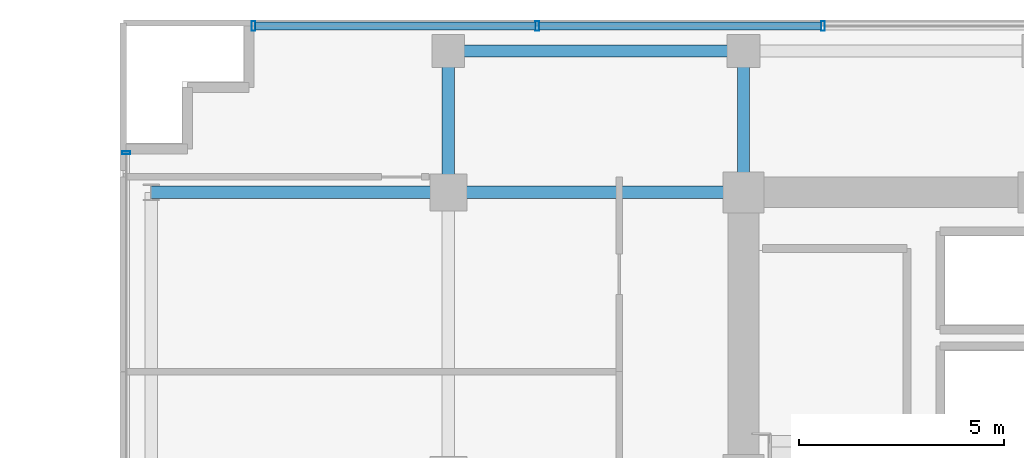
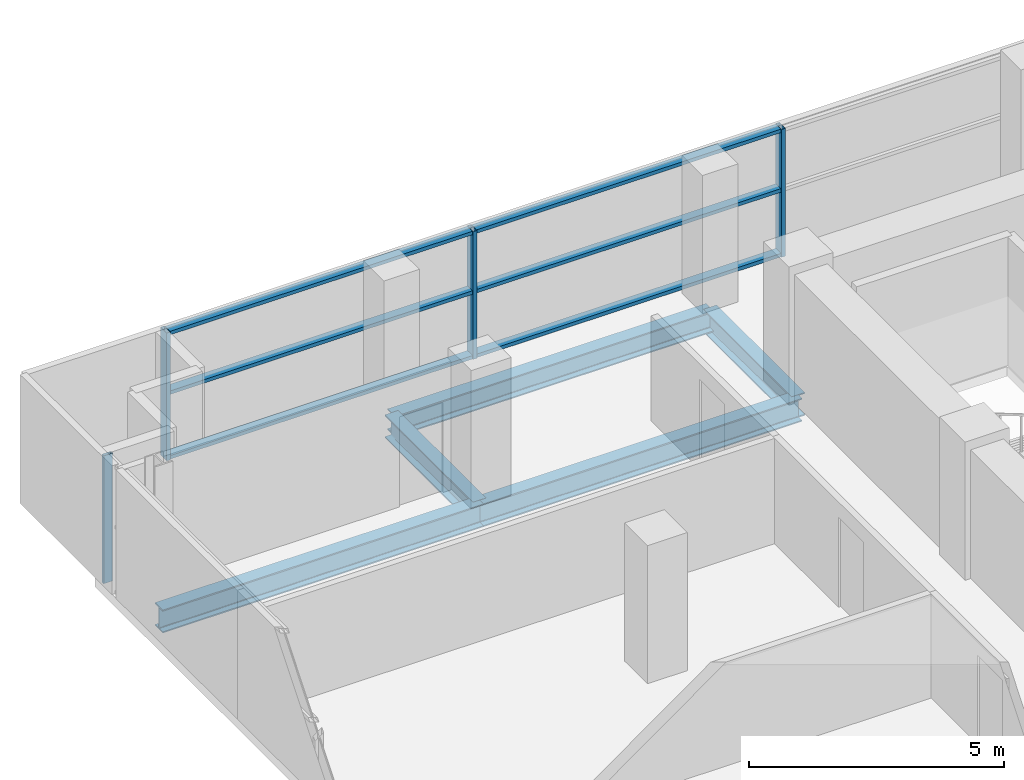
# One storey, part 15 of 28: 10 members, 5 beams, 2 elements without a shape of their own.
"""IFC4 building model written with IfcOpenShell, lengths in metres."""

from ifc_helpers import new_model, si_unit, direction, frame, origin, origin_2d, place, context, subcontext, project, spatial, hollow_rectangle, i_section, extrude, source, transform, mapped, material, layer, layer_set, material_profile, profile_set, type_object, element, aggregate, save


model = new_model("IFC4")

# Units and contexts
model_context = context("Model", 3, precision=1e-05, world=origin(), true_north=direction((0.0, 1.0)))
body_context = subcontext(model_context, "Body", "Model", "MODEL_VIEW")
ifc_project = project(units=[si_unit("LENGTHUNIT", "METRE"), si_unit("AREAUNIT", "SQUARE_METRE"), si_unit("VOLUMEUNIT", "CUBIC_METRE"), si_unit("PLANEANGLEUNIT", "RADIAN"), si_unit("MASSUNIT", "GRAM", prefix="KILO")], contexts=[model_context])

# Site, building, storey
site_placement = place(None, origin())
site = spatial("IfcSite", under=ifc_project, at=site_placement, CompositionType="ELEMENT")
building_placement = place(site_placement, origin())
building = spatial("IfcBuilding", under=site, at=building_placement, Name="Zarnakvel Exchange Tower", CompositionType="ELEMENT")
storey_placement = place(building_placement, frame((0.0, 0.0, 103.300048828125)))
storey = spatial("IfcBuildingStorey", under=building, at=storey_placement, Name="L28", CompositionType="ELEMENT", Elevation=103.300048828125)

# Beams
ifc_material_1 = material(Name="Steel S355", Category="steel")
ifc_material_profile_1 = material_profile(ifc_material_1, i_section(OverallWidth=0.300048828125, OverallDepth=0.550048828125, WebThickness=0.014892578125, FlangeThickness=0.029052734375, FilletRadius=0.027099609375, at=origin_2d()))
ifc_profile_set_1 = profile_set([ifc_material_profile_1], Name="Steel S355")
beam_type_1 = type_object("IfcBeamType", Name="G-05", PredefinedType="BEAM", material=ifc_profile_set_1)
beam_1_placement = place(storey_placement, frame((-28.85009765625, 13.5, -0.5), z_axis=(1.0, 0.0, 0.0), x_axis=(0.0, 1.0, 0.0)))
element("IfcBeam", 1, at=beam_1_placement, inside=storey, type_object=beam_type_1, Name="L28 Tower E-W Frame Beam", PredefinedType="BEAM", context=body_context, shape_type="SweptSolid", body=[
    extrude(i_section(OverallWidth=0.300048828125, OverallDepth=0.550048828125, WebThickness=0.014892578125, FlangeThickness=0.029052734375, FilletRadius=0.027099609375, at=origin_2d()), origin(), (0.0, 0.0, 1.0), 7.25),
])
beam_2_placement = place(storey_placement, frame((-21.60009765625, 13.5, -0.5), z_axis=(1.0, 0.0, 0.0), x_axis=(0.0, 1.0, 0.0)))
element("IfcBeam", 2, at=beam_2_placement, inside=storey, type_object=beam_type_1, Name="L28 Tower E-W Frame Beam", PredefinedType="BEAM", context=body_context, shape_type="SweptSolid", body=[
    extrude(i_section(OverallWidth=0.300048828125, OverallDepth=0.550048828125, WebThickness=0.014892578125, FlangeThickness=0.029052734375, FilletRadius=0.027099609375, at=origin_2d()), origin(), (0.0, 0.0, 1.0), 7.2001953125),
])
for number, where, z_axis, x_axis, name in (
    (3, (-21.60009765625, 13.5, -0.5), (0.0, 1.0, 0.0), (-1.0, 0.0, 0.0), "L28 Tower N-S Frame Beam"),
    (4, (-14.39990234375, 13.5, -0.5), (0.0, 1.0, 0.0), (-1.0, 0.0, 0.0), "L28 Tower N-S Frame Beam"),
):
    element("IfcBeam", number, at=place(storey_placement, frame(where, z_axis=z_axis, x_axis=x_axis)), inside=storey, type_object=beam_type_1, Name=name, PredefinedType="BEAM", context=body_context, shape_type="SweptSolid", body=[
        extrude(i_section(OverallWidth=0.300048828125, OverallDepth=0.550048828125, WebThickness=0.014892578125, FlangeThickness=0.029052734375, FilletRadius=0.027099609375, at=origin_2d()), origin(), (0.0, 0.0, 1.0), 3.449951171875),
    ])
ifc_material_profile_2 = material_profile(ifc_material_1, i_section(OverallWidth=0.300048828125, OverallDepth=0.5, WebThickness=0.014404296875, FlangeThickness=0.028076171875, FilletRadius=0.027099609375, at=origin_2d()))
ifc_profile_set_2 = profile_set([ifc_material_profile_2], Name="Steel S355")
beam_type_2 = type_object("IfcBeamType", Name="SP-02", PredefinedType="SPANDREL", material=ifc_profile_set_2)
beam_3_placement = place(storey_placement, frame((-21.60009765625, 16.949951171875, -0.47509765625), z_axis=(1.0, 0.0, 0.0), x_axis=(0.0, 1.0, 0.0)))
element("IfcBeam", 5, at=beam_3_placement, inside=storey, type_object=beam_type_2, Name="L28 Tower E-W Frame Beam", PredefinedType="SPANDREL", context=body_context, shape_type="SweptSolid", body=[
    extrude(i_section(OverallWidth=0.300048828125, OverallDepth=0.5, WebThickness=0.014404296875, FlangeThickness=0.028076171875, FilletRadius=0.027099609375, at=origin_2d()), origin(), (0.0, 0.0, 1.0), 7.2001953125),
])

# Curtain wall, members
ifc_material_2 = material(Name="Architectural Bronze Anodised Aluminium", Category="aluminium")
ifc_layer_1 = layer(ifc_material_2, 0.239990234375)
ifc_layer_set_1 = layer_set([ifc_layer_1], Name="Architectural Bronze Anodised Aluminium")
curtain_wall_type_1 = type_object("IfcCurtainWallType", Name="CW-02", PredefinedType="NOTDEFINED", material=ifc_layer_set_1)
curtain_wall_1_placement = place(storey_placement, origin())
curtain_wall_1 = element("IfcCurtainWall", 6, at=curtain_wall_1_placement, inside=storey, type_object=curtain_wall_type_1, Name="L28 Curtain Wall CW-L28-N1 (CW-02)", PredefinedType="NOTDEFINED")
ifc_material_profile_3 = material_profile(ifc_material_2, hollow_rectangle(XDim=0.239990234375, YDim=0.090087890625, WallThickness=0.006103515625, at=origin_2d()))
ifc_profile_set_3 = profile_set([ifc_material_profile_3], Name="Architectural Bronze Anodised Aluminium")
member_type_1 = type_object("IfcMemberType", Name="CWM-02", PredefinedType="MULLION", material=ifc_profile_set_3)
shared_shape_1 = source(origin(), body_context, "Body", "SweptSolid", [
    extrude(hollow_rectangle(XDim=0.239990234375, YDim=0.090087890625, WallThickness=0.006103515625, at=origin_2d()), origin(), (0.0, 0.0, 1.0), 3.054931640625),
])
member_1_placement = place(storey_placement, frame((-26.35498046875, 17.56005859375, 0.0), z_axis=(0.0, 0.0, 1.0), x_axis=(0.0, 1.0, 0.0)))
member_1 = element("IfcMember", 7, at=member_1_placement, type_object=member_type_1, Name="CW-02 mullion 1", PredefinedType="MULLION", context=body_context, shape_type="MappedRepresentation", body=[
    mapped(shared_shape_1, transform((0.0, 0.0, 0.0), x_axis=(1.0, 0.0, 0.0), y_axis=(0.0, 1.0, 0.0), z_axis=(0.0, 0.0, 1.0), scale=1.0)),
])
member_2_placement = place(storey_placement, frame((-19.428466796875, 17.56005859375, 0.0), z_axis=(0.0, 0.0, 1.0), x_axis=(0.0, 1.0, 0.0)))
member_2 = element("IfcMember", 8, at=member_2_placement, type_object=member_type_1, Name="CW-02 mullion 2", PredefinedType="MULLION", context=body_context, shape_type="MappedRepresentation", body=[
    mapped(shared_shape_1, transform((0.0, 0.0, 0.0), x_axis=(1.0, 0.0, 0.0), y_axis=(0.0, 1.0, 0.0), z_axis=(0.0, 0.0, 1.0), scale=1.0)),
])
member_3_placement = place(storey_placement, frame((-12.45703125, 17.56005859375, 0.0), z_axis=(0.0, 0.0, 1.0), x_axis=(0.0, 1.0, 0.0)))
member_3 = element("IfcMember", 9, at=member_3_placement, type_object=member_type_1, Name="CW-02 mullion 3", PredefinedType="MULLION", context=body_context, shape_type="MappedRepresentation", body=[
    mapped(shared_shape_1, transform((0.0, 0.0, 0.0), x_axis=(1.0, 0.0, 0.0), y_axis=(0.0, 1.0, 0.0), z_axis=(0.0, 0.0, 1.0), scale=1.0)),
])

# Curtain wall, member
ifc_layer_2 = layer(ifc_material_2, 0.199951171875)
ifc_layer_set_2 = layer_set([ifc_layer_2], Name="Architectural Bronze Anodised Aluminium")
curtain_wall_type_2 = type_object("IfcCurtainWallType", Name="CW-04", PredefinedType="NOTDEFINED", material=ifc_layer_set_2)
curtain_wall_2_placement = place(storey_placement, origin())
curtain_wall_2 = element("IfcCurtainWall", 10, at=curtain_wall_2_placement, inside=storey, type_object=curtain_wall_type_2, Name="L28 Curtain Wall CW-L28-WN (CW-04)", PredefinedType="NOTDEFINED")
ifc_material_profile_4 = material_profile(ifc_material_2, hollow_rectangle(XDim=0.199951171875, YDim=0.074951171875, WallThickness=0.0048828125, at=origin_2d()))
ifc_profile_set_4 = profile_set([ifc_material_profile_4], Name="Architectural Bronze Anodised Aluminium")
member_type_2 = type_object("IfcMemberType", Name="CWM-04", PredefinedType="MULLION", material=ifc_profile_set_4)
shared_shape_2 = source(origin(), body_context, "Body", "SweptSolid", [
    extrude(hollow_rectangle(XDim=0.199951171875, YDim=0.074951171875, WallThickness=0.0048828125, at=origin_2d()), origin(), (0.0, 0.0, 1.0), 3.054931640625),
])
member_4_placement = place(storey_placement, frame((-29.4599609375, 14.46240234375, 0.0), z_axis=(0.0, 0.0, 1.0), x_axis=(-1.0, 0.0, 0.0)))
member_4 = element("IfcMember", 11, at=member_4_placement, type_object=member_type_2, Name="CW-04 mullion 3", PredefinedType="MULLION", context=body_context, shape_type="MappedRepresentation", body=[
    mapped(shared_shape_2, transform((0.0, 0.0, 0.0), x_axis=(1.0, 0.0, 0.0), y_axis=(0.0, 1.0, 0.0), z_axis=(0.0, 0.0, 1.0), scale=1.0)),
])
aggregate(curtain_wall_2, [member_4])

# Member
ifc_material_profile_5 = material_profile(ifc_material_2, hollow_rectangle(XDim=0.199951171875, YDim=0.0849609375, WallThickness=0.0048828125, at=origin_2d()))
ifc_profile_set_5 = profile_set([ifc_material_profile_5], Name="Architectural Bronze Anodised Aluminium")
member_type_3 = type_object("IfcMemberType", Name="CWT-02", PredefinedType="USERDEFINED", material=ifc_profile_set_5)
shared_shape_3 = source(origin(), body_context, "Body", "SweptSolid", [
    extrude(hollow_rectangle(XDim=0.199951171875, YDim=0.0849609375, WallThickness=0.0048828125, at=origin_2d()), origin(), (0.0, 0.0, 1.0), 6.83642578125),
])
member_5_placement = place(storey_placement, frame((-26.31005859375, 17.56005859375, 0.04248046875), z_axis=(1.0, 0.0, 0.0), x_axis=(0.0, 1.0, 0.0)))
member_5 = element("IfcMember", 12, at=member_5_placement, type_object=member_type_3, Name="CW-02 transom 1.1", ObjectType="TRANSOM", PredefinedType="USERDEFINED", context=body_context, shape_type="MappedRepresentation", body=[
    mapped(shared_shape_3, transform((0.0, 0.0, 0.0), x_axis=(1.0, 0.0, 0.0), y_axis=(0.0, 1.0, 0.0), z_axis=(0.0, 0.0, 1.0), scale=1.0)),
])

member_6_placement = place(storey_placement, frame((-26.31005859375, 17.56005859375, 1.588623046875), z_axis=(1.0, 0.0, 0.0), x_axis=(0.0, 1.0, 0.0)))
member_6 = element("IfcMember", 13, at=member_6_placement, type_object=member_type_3, Name="CW-02 transom 1.2", ObjectType="TRANSOM", PredefinedType="USERDEFINED", context=body_context, shape_type="MappedRepresentation", body=[
    mapped(shared_shape_3, transform((0.0, 0.0, 0.0), x_axis=(1.0, 0.0, 0.0), y_axis=(0.0, 1.0, 0.0), z_axis=(0.0, 0.0, 1.0), scale=1.0)),
])

member_7_placement = place(storey_placement, frame((-26.31005859375, 17.56005859375, 3.012451171875), z_axis=(1.0, 0.0, 0.0), x_axis=(0.0, 1.0, 0.0)))
member_7 = element("IfcMember", 14, at=member_7_placement, type_object=member_type_3, Name="CW-02 transom 1.3", ObjectType="TRANSOM", PredefinedType="USERDEFINED", context=body_context, shape_type="MappedRepresentation", body=[
    mapped(shared_shape_3, transform((0.0, 0.0, 0.0), x_axis=(1.0, 0.0, 0.0), y_axis=(0.0, 1.0, 0.0), z_axis=(0.0, 0.0, 1.0), scale=1.0)),
])

shared_shape_4 = source(origin(), body_context, "Body", "SweptSolid", [
    extrude(hollow_rectangle(XDim=0.199951171875, YDim=0.0849609375, WallThickness=0.0048828125, at=origin_2d()), origin(), (0.0, 0.0, 1.0), 6.88134765625),
])
member_8_placement = place(storey_placement, frame((-19.383544921875, 17.56005859375, 0.04248046875), z_axis=(1.0, 0.0, 0.0), x_axis=(0.0, 1.0, 0.0)))
member_8 = element("IfcMember", 15, at=member_8_placement, type_object=member_type_3, Name="CW-02 transom 2.1", ObjectType="TRANSOM", PredefinedType="USERDEFINED", context=body_context, shape_type="MappedRepresentation", body=[
    mapped(shared_shape_4, transform((0.0, 0.0, 0.0), x_axis=(1.0, 0.0, 0.0), y_axis=(0.0, 1.0, 0.0), z_axis=(0.0, 0.0, 1.0), scale=1.0)),
])

member_9_placement = place(storey_placement, frame((-19.383544921875, 17.56005859375, 1.588623046875), z_axis=(1.0, 0.0, 0.0), x_axis=(0.0, 1.0, 0.0)))
member_9 = element("IfcMember", 16, at=member_9_placement, type_object=member_type_3, Name="CW-02 transom 2.2", ObjectType="TRANSOM", PredefinedType="USERDEFINED", context=body_context, shape_type="MappedRepresentation", body=[
    mapped(shared_shape_4, transform((0.0, 0.0, 0.0), x_axis=(1.0, 0.0, 0.0), y_axis=(0.0, 1.0, 0.0), z_axis=(0.0, 0.0, 1.0), scale=1.0)),
])

member_10_placement = place(storey_placement, frame((-19.383544921875, 17.56005859375, 3.012451171875), z_axis=(1.0, 0.0, 0.0), x_axis=(0.0, 1.0, 0.0)))
member_10 = element("IfcMember", 17, at=member_10_placement, type_object=member_type_3, Name="CW-02 transom 2.3", ObjectType="TRANSOM", PredefinedType="USERDEFINED", context=body_context, shape_type="MappedRepresentation", body=[
    mapped(shared_shape_4, transform((0.0, 0.0, 0.0), x_axis=(1.0, 0.0, 0.0), y_axis=(0.0, 1.0, 0.0), z_axis=(0.0, 0.0, 1.0), scale=1.0)),
])

aggregate(curtain_wall_1, [member_1, member_2, member_3, member_5, member_6, member_7, member_8, member_9, member_10])

save(model, "model.ifc")
